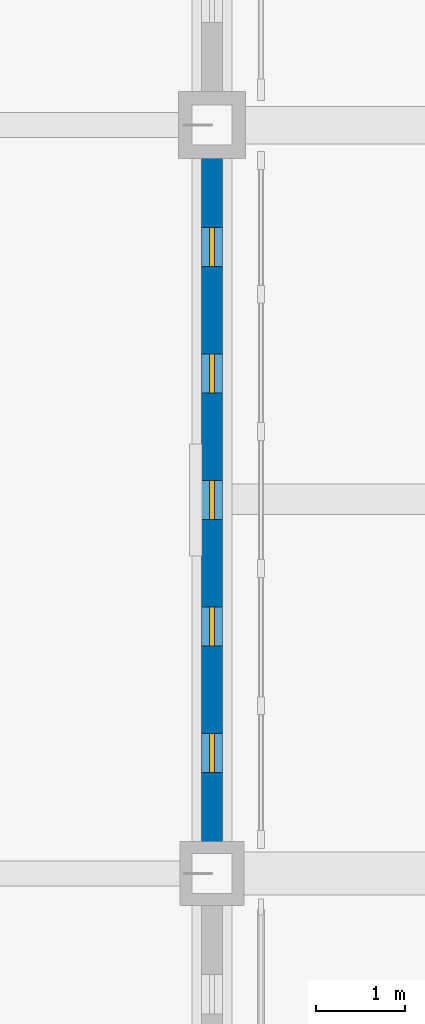
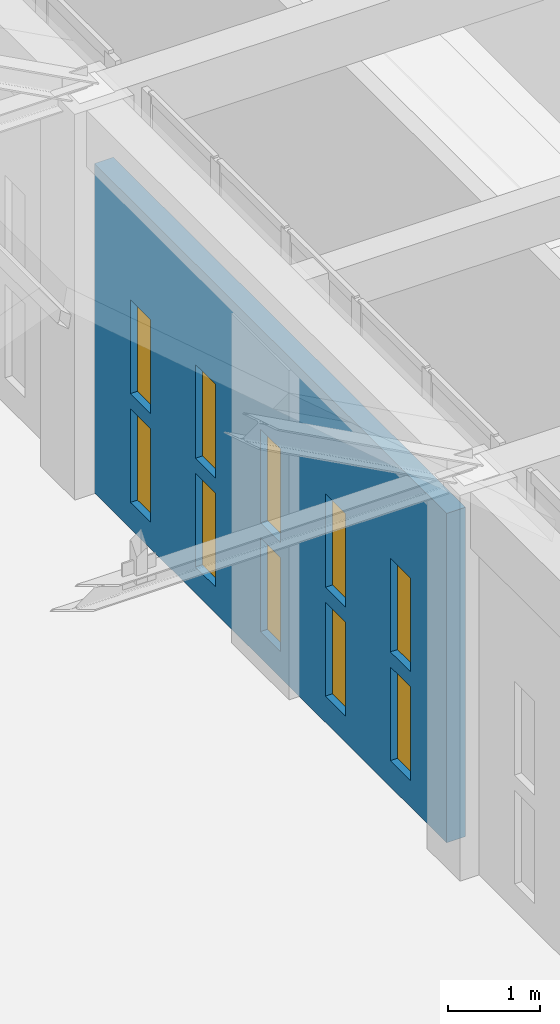
# One storey, part 114 of 143: 10 windows, 1 wall, 10 openings.
"""IFC4 building model written with IfcOpenShell, lengths in metres."""

from ifc_helpers import new_model, si_unit, direction, frame, frame_2d, origin, place, context, subcontext, project, spatial, rectangle, extrude, material, layer, layer_set, type_object, element, fill, save


model = new_model("IFC4")

# Units and contexts
model_context = context("Model", 3, precision=1e-05, world=origin(), true_north=direction((0.0, 1.0)))
body_context = subcontext(model_context, "Body", "Model", "MODEL_VIEW")
ifc_project = project(units=[si_unit("LENGTHUNIT", "METRE"), si_unit("AREAUNIT", "SQUARE_METRE"), si_unit("VOLUMEUNIT", "CUBIC_METRE"), si_unit("PLANEANGLEUNIT", "RADIAN"), si_unit("MASSUNIT", "GRAM", prefix="KILO")], contexts=[model_context])

# Site, building, storey
site_placement = place(None, origin())
site = spatial("IfcSite", under=ifc_project, at=site_placement, CompositionType="ELEMENT")
building_placement = place(site_placement, origin())
building = spatial("IfcBuilding", under=site, at=building_placement, Name="Kveldsbrygga Polytechnic", CompositionType="ELEMENT")
storey_placement = place(building_placement, origin())
storey = spatial("IfcBuildingStorey", under=building, at=storey_placement, Name="L00", CompositionType="ELEMENT", Elevation=0.0)

# Wall, openings, windows
ifc_material_1 = material(Name="Fired clay brick masonry M10", Category="masonry")
ifc_layer = layer(ifc_material_1, 0.239990234375)
ifc_layer_set = layer_set([ifc_layer], Name="Fired clay brick masonry M10")
wall_type = type_object("IfcWallType", Name="EW-SCRN-240", PredefinedType="SOLIDWALL", material=ifc_layer_set)
wall_placement = place(storey_placement, frame((126.0, 50.7451171875, 0.0), z_axis=(0.0, 0.0, 1.0), x_axis=(0.0, 1.0, 0.0)))
wall = element("IfcWall", 1, at=wall_placement, inside=storey, type_object=wall_type, Name="Perforated Brick Corridor Screen Wall SCRW-L00-Y-15-06", PredefinedType="SOLIDWALL", context=body_context, shape_type="SweptSolid", body=[
    extrude(rectangle(XDim=7.69482421875, YDim=0.239990234375, at=frame_2d((3.847412109375, 0.0))), origin(), (0.0, 0.0, 1.0), 4.389892578125),
])
opening_1_placement = place(wall_placement, frame((0.78955078125, 0.0, 0.35009765625)))
opening_1 = element("IfcOpeningElement", 2, at=opening_1_placement, cuts=wall, Name="Opening W-48", PredefinedType="OPENING", context=body_context, shape_type="SweptSolid", body=[
    extrude(rectangle(XDim=0.43994140625, YDim=1.25, at=frame_2d((0.219970703125, 0.625))), frame((0.0, 0.1298828125, 0.0), z_axis=(0.0, -1.0, 0.0), x_axis=(1.0, 0.0, 0.0)), (0.0, 0.0, 1.0), 0.260009765625),
])
opening_2_placement = place(wall_placement, frame((2.20849609375, 0.0, 0.35009765625)))
opening_2 = element("IfcOpeningElement", 3, at=opening_2_placement, cuts=wall, Name="Opening W-48", PredefinedType="OPENING", context=body_context, shape_type="SweptSolid", body=[
    extrude(rectangle(XDim=0.43994140625, YDim=1.25, at=frame_2d((0.219970703125, 0.625))), frame((0.0, 0.1298828125, 0.0), z_axis=(0.0, -1.0, 0.0), x_axis=(1.0, 0.0, 0.0)), (0.0, 0.0, 1.0), 0.260009765625),
])
opening_3_placement = place(wall_placement, frame((3.62744140625, 0.0, 0.35009765625)))
opening_3 = element("IfcOpeningElement", 4, at=opening_3_placement, cuts=wall, Name="Opening W-48", PredefinedType="OPENING", context=body_context, shape_type="SweptSolid", body=[
    extrude(rectangle(XDim=0.43994140625, YDim=1.25, at=frame_2d((0.219970703125, 0.625))), frame((0.0, 0.1298828125, 0.0), z_axis=(0.0, -1.0, 0.0), x_axis=(1.0, 0.0, 0.0)), (0.0, 0.0, 1.0), 0.260009765625),
])
opening_4_placement = place(wall_placement, frame((5.04638671875, 0.0, 0.35009765625)))
opening_4 = element("IfcOpeningElement", 5, at=opening_4_placement, cuts=wall, Name="Opening W-48", PredefinedType="OPENING", context=body_context, shape_type="SweptSolid", body=[
    extrude(rectangle(XDim=0.43994140625, YDim=1.25, at=frame_2d((0.219970703125, 0.625))), frame((0.0, 0.1298828125, 0.0), z_axis=(0.0, -1.0, 0.0), x_axis=(1.0, 0.0, 0.0)), (0.0, 0.0, 1.0), 0.260009765625),
])
opening_5_placement = place(wall_placement, frame((6.465576171875, 0.0, 0.35009765625)))
opening_5 = element("IfcOpeningElement", 6, at=opening_5_placement, cuts=wall, Name="Opening W-48", PredefinedType="OPENING", context=body_context, shape_type="SweptSolid", body=[
    extrude(rectangle(XDim=0.43994140625, YDim=1.25, at=frame_2d((0.219970703125, 0.625))), frame((0.0, 0.1298828125, 0.0), z_axis=(0.0, -1.0, 0.0), x_axis=(1.0, 0.0, 0.0)), (0.0, 0.0, 1.0), 0.260009765625),
])
opening_6_placement = place(wall_placement, frame((0.78955078125, 0.0, 1.800048828125)))
opening_6 = element("IfcOpeningElement", 7, at=opening_6_placement, cuts=wall, Name="Opening W-48", PredefinedType="OPENING", context=body_context, shape_type="SweptSolid", body=[
    extrude(rectangle(XDim=0.43994140625, YDim=1.25, at=frame_2d((0.219970703125, 0.625))), frame((0.0, 0.1298828125, 0.0), z_axis=(0.0, -1.0, 0.0), x_axis=(1.0, 0.0, 0.0)), (0.0, 0.0, 1.0), 0.260009765625),
])
opening_7_placement = place(wall_placement, frame((2.20849609375, 0.0, 1.800048828125)))
opening_7 = element("IfcOpeningElement", 8, at=opening_7_placement, cuts=wall, Name="Opening W-48", PredefinedType="OPENING", context=body_context, shape_type="SweptSolid", body=[
    extrude(rectangle(XDim=0.43994140625, YDim=1.25, at=frame_2d((0.219970703125, 0.625))), frame((0.0, 0.1298828125, 0.0), z_axis=(0.0, -1.0, 0.0), x_axis=(1.0, 0.0, 0.0)), (0.0, 0.0, 1.0), 0.260009765625),
])
opening_8_placement = place(wall_placement, frame((3.62744140625, 0.0, 1.800048828125)))
opening_8 = element("IfcOpeningElement", 9, at=opening_8_placement, cuts=wall, Name="Opening W-48", PredefinedType="OPENING", context=body_context, shape_type="SweptSolid", body=[
    extrude(rectangle(XDim=0.43994140625, YDim=1.25, at=frame_2d((0.219970703125, 0.625))), frame((0.0, 0.1298828125, 0.0), z_axis=(0.0, -1.0, 0.0), x_axis=(1.0, 0.0, 0.0)), (0.0, 0.0, 1.0), 0.260009765625),
])
opening_9_placement = place(wall_placement, frame((5.04638671875, 0.0, 1.800048828125)))
opening_9 = element("IfcOpeningElement", 10, at=opening_9_placement, cuts=wall, Name="Opening W-48", PredefinedType="OPENING", context=body_context, shape_type="SweptSolid", body=[
    extrude(rectangle(XDim=0.43994140625, YDim=1.25, at=frame_2d((0.219970703125, 0.625))), frame((0.0, 0.1298828125, 0.0), z_axis=(0.0, -1.0, 0.0), x_axis=(1.0, 0.0, 0.0)), (0.0, 0.0, 1.0), 0.260009765625),
])
opening_10_placement = place(wall_placement, frame((6.465576171875, 0.0, 1.800048828125)))
opening_10 = element("IfcOpeningElement", 11, at=opening_10_placement, cuts=wall, Name="Opening W-48", PredefinedType="OPENING", context=body_context, shape_type="SweptSolid", body=[
    extrude(rectangle(XDim=0.43994140625, YDim=1.25, at=frame_2d((0.219970703125, 0.625))), frame((0.0, 0.1298828125, 0.0), z_axis=(0.0, -1.0, 0.0), x_axis=(1.0, 0.0, 0.0)), (0.0, 0.0, 1.0), 0.260009765625),
])
ifc_material_2 = material(Name="Insulated triple low-E glass", Category="glass")
window_type = type_object("IfcWindowType", Name="WN-SCRN-044x125", PartitioningType="SINGLE_PANEL", PredefinedType="WINDOW", material=ifc_material_2)
window_1_placement = place(opening_1_placement, origin())
window_1 = element("IfcWindow", 12, at=window_1_placement, inside=storey, type_object=window_type, Name="Perforated Screen Aperture L00-Y-15-06-1", OverallHeight=1.25, OverallWidth=0.43994140625, PartitioningType="SINGLE_PANEL", PredefinedType="WINDOW", context=body_context, shape_type="SweptSolid", body=[
    extrude(rectangle(XDim=0.43994140625, YDim=1.25, at=frame_2d((0.219970703125, 0.625))), frame((0.0, 0.030029296875, 0.0), z_axis=(0.0, -1.0, 0.0), x_axis=(1.0, 0.0, 0.0)), (0.0, 0.0, 1.0), 0.06005859375),
])
fill(opening_1, window_1)
window_2_placement = place(opening_2_placement, origin())
window_2 = element("IfcWindow", 13, at=window_2_placement, inside=storey, type_object=window_type, Name="Perforated Screen Aperture L00-Y-15-06-2", OverallHeight=1.25, OverallWidth=0.43994140625, PartitioningType="SINGLE_PANEL", PredefinedType="WINDOW", context=body_context, shape_type="SweptSolid", body=[
    extrude(rectangle(XDim=0.43994140625, YDim=1.25, at=frame_2d((0.219970703125, 0.625))), frame((0.0, 0.030029296875, 0.0), z_axis=(0.0, -1.0, 0.0), x_axis=(1.0, 0.0, 0.0)), (0.0, 0.0, 1.0), 0.06005859375),
])
fill(opening_2, window_2)
window_3_placement = place(opening_3_placement, origin())
window_3 = element("IfcWindow", 14, at=window_3_placement, inside=storey, type_object=window_type, Name="Perforated Screen Aperture L00-Y-15-06-3", OverallHeight=1.25, OverallWidth=0.43994140625, PartitioningType="SINGLE_PANEL", PredefinedType="WINDOW", context=body_context, shape_type="SweptSolid", body=[
    extrude(rectangle(XDim=0.43994140625, YDim=1.25, at=frame_2d((0.219970703125, 0.625))), frame((0.0, 0.030029296875, 0.0), z_axis=(0.0, -1.0, 0.0), x_axis=(1.0, 0.0, 0.0)), (0.0, 0.0, 1.0), 0.06005859375),
])
fill(opening_3, window_3)
window_4_placement = place(opening_4_placement, origin())
window_4 = element("IfcWindow", 15, at=window_4_placement, inside=storey, type_object=window_type, Name="Perforated Screen Aperture L00-Y-15-06-4", OverallHeight=1.25, OverallWidth=0.43994140625, PartitioningType="SINGLE_PANEL", PredefinedType="WINDOW", context=body_context, shape_type="SweptSolid", body=[
    extrude(rectangle(XDim=0.43994140625, YDim=1.25, at=frame_2d((0.219970703125, 0.625))), frame((0.0, 0.030029296875, 0.0), z_axis=(0.0, -1.0, 0.0), x_axis=(1.0, 0.0, 0.0)), (0.0, 0.0, 1.0), 0.06005859375),
])
fill(opening_4, window_4)
window_5_placement = place(opening_5_placement, origin())
window_5 = element("IfcWindow", 16, at=window_5_placement, inside=storey, type_object=window_type, Name="Perforated Screen Aperture L00-Y-15-06-5", OverallHeight=1.25, OverallWidth=0.43994140625, PartitioningType="SINGLE_PANEL", PredefinedType="WINDOW", context=body_context, shape_type="SweptSolid", body=[
    extrude(rectangle(XDim=0.43994140625, YDim=1.25, at=frame_2d((0.219970703125, 0.625))), frame((0.0, 0.030029296875, 0.0), z_axis=(0.0, -1.0, 0.0), x_axis=(1.0, 0.0, 0.0)), (0.0, 0.0, 1.0), 0.06005859375),
])
fill(opening_5, window_5)
window_6_placement = place(opening_6_placement, origin())
window_6 = element("IfcWindow", 17, at=window_6_placement, inside=storey, type_object=window_type, Name="Perforated Screen Aperture L00-Y-15-06-6", OverallHeight=1.25, OverallWidth=0.43994140625, PartitioningType="SINGLE_PANEL", PredefinedType="WINDOW", context=body_context, shape_type="SweptSolid", body=[
    extrude(rectangle(XDim=0.43994140625, YDim=1.25, at=frame_2d((0.219970703125, 0.625))), frame((0.0, 0.030029296875, 0.0), z_axis=(0.0, -1.0, 0.0), x_axis=(1.0, 0.0, 0.0)), (0.0, 0.0, 1.0), 0.06005859375),
])
fill(opening_6, window_6)
window_7_placement = place(opening_7_placement, origin())
window_7 = element("IfcWindow", 18, at=window_7_placement, inside=storey, type_object=window_type, Name="Perforated Screen Aperture L00-Y-15-06-7", OverallHeight=1.25, OverallWidth=0.43994140625, PartitioningType="SINGLE_PANEL", PredefinedType="WINDOW", context=body_context, shape_type="SweptSolid", body=[
    extrude(rectangle(XDim=0.43994140625, YDim=1.25, at=frame_2d((0.219970703125, 0.625))), frame((0.0, 0.030029296875, 0.0), z_axis=(0.0, -1.0, 0.0), x_axis=(1.0, 0.0, 0.0)), (0.0, 0.0, 1.0), 0.06005859375),
])
fill(opening_7, window_7)
window_8_placement = place(opening_8_placement, origin())
window_8 = element("IfcWindow", 19, at=window_8_placement, inside=storey, type_object=window_type, Name="Perforated Screen Aperture L00-Y-15-06-8", OverallHeight=1.25, OverallWidth=0.43994140625, PartitioningType="SINGLE_PANEL", PredefinedType="WINDOW", context=body_context, shape_type="SweptSolid", body=[
    extrude(rectangle(XDim=0.43994140625, YDim=1.25, at=frame_2d((0.219970703125, 0.625))), frame((0.0, 0.030029296875, 0.0), z_axis=(0.0, -1.0, 0.0), x_axis=(1.0, 0.0, 0.0)), (0.0, 0.0, 1.0), 0.06005859375),
])
fill(opening_8, window_8)
window_9_placement = place(opening_9_placement, origin())
window_9 = element("IfcWindow", 20, at=window_9_placement, inside=storey, type_object=window_type, Name="Perforated Screen Aperture L00-Y-15-06-9", OverallHeight=1.25, OverallWidth=0.43994140625, PartitioningType="SINGLE_PANEL", PredefinedType="WINDOW", context=body_context, shape_type="SweptSolid", body=[
    extrude(rectangle(XDim=0.43994140625, YDim=1.25, at=frame_2d((0.219970703125, 0.625))), frame((0.0, 0.030029296875, 0.0), z_axis=(0.0, -1.0, 0.0), x_axis=(1.0, 0.0, 0.0)), (0.0, 0.0, 1.0), 0.06005859375),
])
fill(opening_9, window_9)
window_10_placement = place(opening_10_placement, origin())
window_10 = element("IfcWindow", 21, at=window_10_placement, inside=storey, type_object=window_type, Name="Perforated Screen Aperture L00-Y-15-06-10", OverallHeight=1.25, OverallWidth=0.43994140625, PartitioningType="SINGLE_PANEL", PredefinedType="WINDOW", context=body_context, shape_type="SweptSolid", body=[
    extrude(rectangle(XDim=0.43994140625, YDim=1.25, at=frame_2d((0.219970703125, 0.625))), frame((0.0, 0.030029296875, 0.0), z_axis=(0.0, -1.0, 0.0), x_axis=(1.0, 0.0, 0.0)), (0.0, 0.0, 1.0), 0.06005859375),
])
fill(opening_10, window_10)

save(model, "model.ifc")
